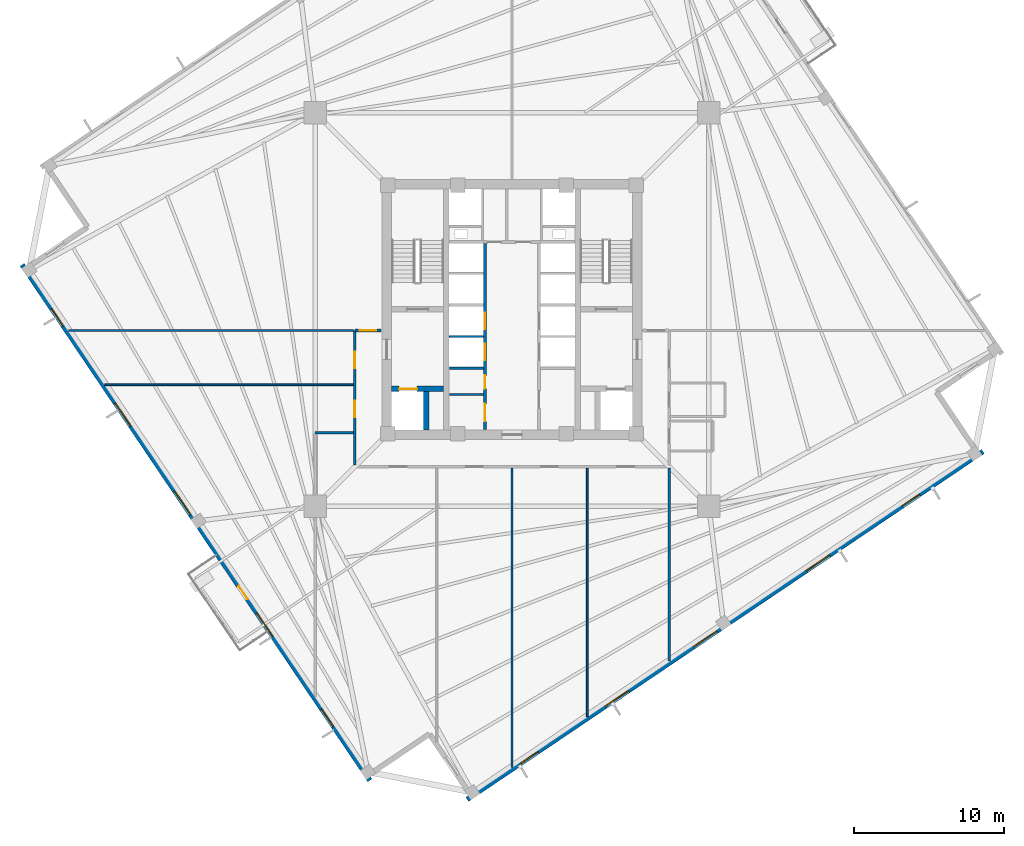
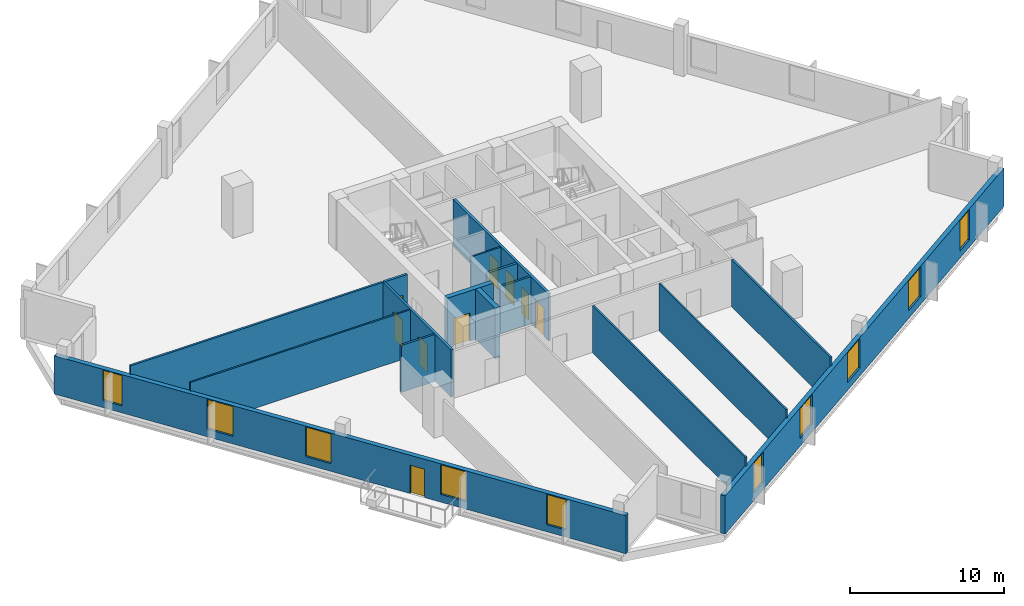
# One storey, part 3 of 9: 16 walls, 10 windows, 9 doors, 19 openings.
"""IFC4 building model written with IfcOpenShell, lengths in metres."""

from ifc_helpers import new_model, si_unit, direction, frame, frame_2d, origin, place, context, subcontext, project, spatial, rectangle, extrude, source, transform, mapped, material, layer, layer_set, type_object, element, fill, save


model = new_model("IFC4")

# Units and contexts
model_context = context("Model", 3, precision=1e-05, world=origin(), true_north=direction((0.0, 1.0)))
body_context = subcontext(model_context, "Body", "Model", "MODEL_VIEW")
ifc_project = project(units=[si_unit("LENGTHUNIT", "METRE"), si_unit("AREAUNIT", "SQUARE_METRE"), si_unit("VOLUMEUNIT", "CUBIC_METRE"), si_unit("PLANEANGLEUNIT", "RADIAN"), si_unit("MASSUNIT", "GRAM", prefix="KILO"), si_unit("THERMODYNAMICTEMPERATUREUNIT", "KELVIN")], contexts=[model_context])

# Site, building, storey
site_placement = place(None, origin())
site = spatial("IfcSite", under=ifc_project, at=site_placement, CompositionType="ELEMENT")
building_placement = place(site_placement, origin())
building = spatial("IfcBuilding", under=site, at=building_placement, Name="Kosmvard Interchange Tower", CompositionType="ELEMENT")
storey_placement = place(building_placement, frame((0.0, 0.0, 144.39990234375)))
storey = spatial("IfcBuildingStorey", under=building, at=storey_placement, Name="L34", CompositionType="ELEMENT", Elevation=144.39990234375)

# Walls
ifc_material_1 = material(Name="Acoustic gypsum partition system")
ifc_layer_1 = layer(ifc_material_1, 0.14990234375, Name="Acoustic gypsum partition system")
ifc_layer_set_1 = layer_set([ifc_layer_1], Name="Acoustic gypsum partition system")
wall_type_1 = type_object("IfcWallType", Name="Acoustic Suite & Meeting Partition 150", PredefinedType="PARTITIONING", material=ifc_layer_set_1)
wall_1_placement = place(storey_placement, frame((-29.482421875, -1.39990234375, 0.0), z_axis=(0.0, 0.0, 1.0), x_axis=(1.0, 0.0, 0.0)))
element("IfcWall", 1, at=wall_1_placement, inside=storey, type_object=wall_type_1, Name="L34 Room Partition 02.1", PredefinedType="PARTITIONING", context=body_context, shape_type="SweptSolid", body=[
    extrude(rectangle(XDim=18.9375, YDim=0.14990234375, at=frame_2d((9.46875, 0.0))), origin(), (0.0, 0.0, 1.0), 3.739990234375),
])
wall_2_placement = place(storey_placement, frame((-10.544921875, -8.199951171875, 0.0), z_axis=(0.0, 0.0, 1.0), x_axis=(-1.0, 0.0, 0.0)))
element("IfcWall", 2, at=wall_2_placement, inside=storey, type_object=wall_type_1, Name="L34 Room Partition 04.1", PredefinedType="PARTITIONING", context=body_context, shape_type="SweptSolid", body=[
    extrude(rectangle(XDim=2.5361328125, YDim=0.14990234375, at=frame_2d((1.26806640625, 0.0))), origin(), (0.0, 0.0, 1.0), 3.739990234375),
])
wall_3_placement = place(storey_placement, frame((10.449951171875, -23.378173828125, 0.0), z_axis=(0.0, 0.0, 1.0), x_axis=(0.0, 1.0, 0.0)))
element("IfcWall", 3, at=wall_3_placement, inside=storey, type_object=wall_type_1, Name="L34 Room Partition 10.1", PredefinedType="PARTITIONING", context=body_context, shape_type="SweptSolid", body=[
    extrude(rectangle(XDim=12.833251953125, YDim=0.14990234375, at=frame_2d((6.41650390625, 0.0))), origin(), (0.0, 0.0, 1.0), 3.739990234375),
])
ifc_material_2 = material(Name="Fire-rated gypsum partition system")
ifc_layer_2 = layer(ifc_material_2, 0.159912109375, Name="Fire-rated gypsum partition system")
ifc_layer_set_2 = layer_set([ifc_layer_2], Name="Fire-rated gypsum partition system")
wall_type_2 = type_object("IfcWallType", Name="Core Compartment & Shuttle Lobby Partition 160", PredefinedType="PARTITIONING", material=ifc_layer_set_2)
wall_4_placement = place(storey_placement, frame((-4.169921875, -5.64990234375, 0.0), z_axis=(0.0, 0.0, 1.0), x_axis=(1.0, 0.0, 0.0)))
element("IfcWall", 4, at=wall_4_placement, inside=storey, type_object=wall_type_2, Name="L34 Reclaimed Split W", PredefinedType="PARTITIONING", context=body_context, shape_type="SweptSolid", body=[
    extrude(rectangle(XDim=2.280029296875, YDim=0.159912109375, at=frame_2d((1.14013671875, 0.0))), origin(), (0.0, 0.0, 1.0), 3.739990234375),
])

# Wall, openings, doors
ifc_layer_3 = layer(ifc_material_2, 0.179931640625, Name="Fire-rated gypsum partition system")
ifc_layer_set_3 = layer_set([ifc_layer_3], Name="Fire-rated gypsum partition system")
wall_type_3 = type_object("IfcWallType", Name="Corridor & Hotel Compartment Partition 180", PredefinedType="PARTITIONING", material=ifc_layer_set_3)
wall_5_placement = place(storey_placement, frame((-1.7900390625, -7.97998046875, 0.0), z_axis=(0.0, 0.0, 1.0), x_axis=(0.0, 1.0, 0.0)))
wall_5 = element("IfcWall", 5, at=wall_5_placement, inside=storey, type_object=wall_type_3, Name="L34 West Lift Bank Front Wall", PredefinedType="PARTITIONING", context=body_context, shape_type="SweptSolid", body=[
    extrude(rectangle(XDim=12.3798828125, YDim=0.179931640625, at=frame_2d((6.18994140625, 0.0))), origin(), (0.0, 0.0, 1.0), 3.739990234375),
])
opening_1_placement = place(wall_5_placement, frame((4.60009765625, 0.0, 0.0)))
opening_1 = element("IfcOpeningElement", 6, at=opening_1_placement, cuts=wall_5, Name="Opening LD-PL-M1-L34", PredefinedType="OPENING", context=body_context, shape_type="SweptSolid", body=[
    extrude(rectangle(XDim=1.10009765625, YDim=2.199951171875, at=frame_2d((0.550048828125, 1.10009765625))), frame((0.0, 0.10009765625, 0.0), z_axis=(0.0, -1.0, 0.0), x_axis=(1.0, 0.0, 0.0)), (0.0, 0.0, 1.0), 0.199951171875),
])
opening_2_placement = place(wall_5_placement, frame((6.659912109375, 0.0, 0.0)))
opening_2 = element("IfcOpeningElement", 7, at=opening_2_placement, cuts=wall_5, Name="Opening LD-PL-M2-L34", PredefinedType="OPENING", context=body_context, shape_type="SweptSolid", body=[
    extrude(rectangle(XDim=1.10009765625, YDim=2.199951171875, at=frame_2d((0.550048828125, 1.10009765625))), frame((0.0, 0.10009765625, 0.0), z_axis=(0.0, -1.0, 0.0), x_axis=(1.0, 0.0, 0.0)), (0.0, 0.0, 1.0), 0.199951171875),
])
opening_3_placement = place(wall_5_placement, frame((0.550048828125, 0.0, 0.0)))
opening_3 = element("IfcOpeningElement", 8, at=opening_3_placement, cuts=wall_5, Name="Opening L34-CD1", PredefinedType="OPENING", context=body_context, shape_type="SweptSolid", body=[
    extrude(rectangle(XDim=1.14990234375, YDim=2.25, at=frame_2d((0.574951171875, 1.125))), frame((0.0, 0.10009765625, 0.0), z_axis=(0.0, -1.0, 0.0), x_axis=(1.0, 0.0, 0.0)), (0.0, 0.0, 1.0), 0.199951171875),
])
opening_4_placement = place(wall_5_placement, frame((2.719970703125, 0.0, 0.0)))
opening_4 = element("IfcOpeningElement", 9, at=opening_4_placement, cuts=wall_5, Name="Opening L34-CD2", PredefinedType="OPENING", context=body_context, shape_type="SweptSolid", body=[
    extrude(rectangle(XDim=0.8798828125, YDim=2.10009765625, at=frame_2d((0.43994140625, 1.050048828125))), frame((0.0, 0.10009765625, 0.0), z_axis=(0.0, -1.0, 0.0), x_axis=(1.0, 0.0, 0.0)), (0.0, 0.0, 1.0), 0.199951171875),
])
ifc_material_3 = material(Name="Painted fire-rated steel leaf", Category="steel")
door_type_1 = type_object("IfcDoorType", Name="Plant & Riser Fire Door 1150x2250 EI60", OperationType="NOTDEFINED", PredefinedType="DOOR", material=ifc_material_3)
shared_shape_1 = source(origin(), body_context, "Body", "SweptSolid", [
    extrude(rectangle(XDim=1.14990234375, YDim=2.25, at=frame_2d((0.574951171875, 1.125))), frame((0.0, 0.02490234375, 0.0), z_axis=(0.0, -1.0, 0.0), x_axis=(1.0, 0.0, 0.0)), (0.0, 0.0, 1.0), 0.050048828125),
])
door_1_placement = place(opening_3_placement, origin())
door_1 = element("IfcDoor", 10, at=door_1_placement, inside=storey, type_object=door_type_1, Name="L34 Core Archive Door", OperationType="SINGLE_SWING_LEFT", OverallHeight=2.25, OverallWidth=1.14990234375, PredefinedType="DOOR", context=body_context, shape_type="MappedRepresentation", body=[
    mapped(shared_shape_1, transform((0.0, 0.0, 0.0), scale=1.0)),
])
fill(opening_3, door_1)
ifc_material_4 = material(Name="Brushed stainless steel sliding leaf", Category="steel")
door_type_2 = type_object("IfcDoorType", Name="Passenger Lift Sliding Landing Door 1100x2200 EI60", OperationType="DOUBLE_DOOR_SLIDING", PredefinedType="DOOR", material=ifc_material_4)
shared_shape_2 = source(origin(), body_context, "Body", "SweptSolid", [
    extrude(rectangle(XDim=1.10009765625, YDim=2.199951171875, at=frame_2d((0.550048828125, 1.10009765625))), frame((0.0, 0.02490234375, 0.0), z_axis=(0.0, -1.0, 0.0), x_axis=(1.0, 0.0, 0.0)), (0.0, 0.0, 1.0), 0.050048828125),
])
door_2_placement = place(opening_1_placement, frame((1.10009765625, 0.0, 0.0), z_axis=(0.0, 0.0, 1.0), x_axis=(-1.0, 0.0, 0.0)))
door_2 = element("IfcDoor", 11, at=door_2_placement, inside=storey, type_object=door_type_2, Name="Lift PL-M1 Landing Door L34", OperationType="DOUBLE_DOOR_SLIDING", OverallHeight=2.199951171875, OverallWidth=1.10009765625, PredefinedType="DOOR", context=body_context, shape_type="MappedRepresentation", body=[
    mapped(shared_shape_2, transform((0.0, 0.0, 0.0), scale=1.0)),
])
fill(opening_1, door_2)
door_3_placement = place(opening_2_placement, frame((1.10009765625, 0.0, 0.0), z_axis=(0.0, 0.0, 1.0), x_axis=(-1.0, 0.0, 0.0)))
door_3 = element("IfcDoor", 12, at=door_3_placement, inside=storey, type_object=door_type_2, Name="Lift PL-M2 Landing Door L34", OperationType="DOUBLE_DOOR_SLIDING", OverallHeight=2.199951171875, OverallWidth=1.10009765625, PredefinedType="DOOR", context=body_context, shape_type="MappedRepresentation", body=[
    mapped(shared_shape_2, transform((0.0, 0.0, 0.0), scale=1.0)),
])
fill(opening_2, door_3)
ifc_material_5 = material(Name="Painted fire-rated timber leaf", Category="wood")
door_type_3 = type_object("IfcDoorType", Name="Core Cupboard Fire Door 880x2100 EI30", OperationType="NOTDEFINED", PredefinedType="DOOR", material=ifc_material_5)
shared_shape_3 = source(origin(), body_context, "Body", "SweptSolid", [
    extrude(rectangle(XDim=0.8798828125, YDim=2.10009765625, at=frame_2d((0.43994140625, 1.050048828125))), frame((0.0, 0.02490234375, 0.0), z_axis=(0.0, -1.0, 0.0), x_axis=(1.0, 0.0, 0.0)), (0.0, 0.0, 1.0), 0.050048828125),
])
door_4_placement = place(opening_4_placement, origin())
door_4 = element("IfcDoor", 13, at=door_4_placement, inside=storey, type_object=door_type_3, Name="L34 Core Supplies Door", OperationType="SINGLE_SWING_RIGHT", OverallHeight=2.10009765625, OverallWidth=0.8798828125, PredefinedType="DOOR", context=body_context, shape_type="MappedRepresentation", body=[
    mapped(shared_shape_3, transform((0.0, 0.0, 0.0), scale=1.0)),
])
fill(opening_4, door_4)

wall_6_placement = place(storey_placement, frame((-10.449951171875, -10.35009765625, 0.0), z_axis=(0.0, 0.0, 1.0), x_axis=(0.0, 1.0, 0.0)))
wall_6 = element("IfcWall", 14, at=wall_6_placement, inside=storey, type_object=wall_type_3, Name="L34 Corridor Wall CW", PredefinedType="PARTITIONING", context=body_context, shape_type="SweptSolid", body=[
    extrude(rectangle(XDim=8.9501953125, YDim=0.179931640625, at=frame_2d((4.47509765625, 0.0))), origin(), (0.0, 0.0, 1.0), 3.739990234375),
])
opening_5_placement = place(wall_6_placement, frame((6.435546875, 0.0, 0.0)))
opening_5 = element("IfcOpeningElement", 15, at=opening_5_placement, cuts=wall_6, Name="Opening L34-D05", PredefinedType="OPENING", context=body_context, shape_type="SweptSolid", body=[
    extrude(rectangle(XDim=1.10009765625, YDim=2.199951171875, at=frame_2d((0.550048828125, 1.10009765625))), frame((0.0, 0.10009765625, 0.0), z_axis=(0.0, -1.0, 0.0), x_axis=(1.0, 0.0, 0.0)), (0.0, 0.0, 1.0), 0.199951171875),
])
opening_6_placement = place(wall_6_placement, frame((3.199951171875, 0.0, 0.0)))
opening_6 = element("IfcOpeningElement", 16, at=opening_6_placement, cuts=wall_6, Name="Opening L34-D06", PredefinedType="OPENING", context=body_context, shape_type="SweptSolid", body=[
    extrude(rectangle(XDim=1.10009765625, YDim=2.199951171875, at=frame_2d((0.550048828125, 1.10009765625))), frame((0.0, 0.10009765625, 0.0), z_axis=(0.0, -1.0, 0.0), x_axis=(1.0, 0.0, 0.0)), (0.0, 0.0, 1.0), 0.199951171875),
])
ifc_material_6 = material(Name="Engineered oak fire-rated timber", Category="wood")
door_type_4 = type_object("IfcDoorType", Name="Office Suite Entrance Door 1100x2200 FD30S", OperationType="NOTDEFINED", PredefinedType="DOOR", material=ifc_material_6)
door_5_placement = place(opening_5_placement, origin())
door_5 = element("IfcDoor", 17, at=door_5_placement, inside=storey, type_object=door_type_4, Name="L34 Tech Hub Pantry Door", OperationType="SINGLE_SWING_LEFT", OverallHeight=2.199951171875, OverallWidth=1.10009765625, PredefinedType="DOOR", context=body_context, shape_type="MappedRepresentation", body=[
    mapped(shared_shape_2, transform((0.0, 0.0, 0.0), scale=1.0)),
])
fill(opening_5, door_5)
door_6_placement = place(opening_6_placement, origin())
door_6 = element("IfcDoor", 18, at=door_6_placement, inside=storey, type_object=door_type_4, Name="L34 West Systems Office 1 Door", OperationType="SINGLE_SWING_RIGHT", OverallHeight=2.199951171875, OverallWidth=1.10009765625, PredefinedType="DOOR", context=body_context, shape_type="MappedRepresentation", body=[
    mapped(shared_shape_2, transform((0.0, 0.0, 0.0), scale=1.0)),
])
fill(opening_6, door_6)

# Wall, opening, door
wall_7_placement = place(storey_placement, frame((-10.449951171875, -1.39990234375, 0.0), z_axis=(0.0, 0.0, 1.0), x_axis=(1.0, 0.0, 0.0)))
wall_7 = element("IfcWall", 19, at=wall_7_placement, inside=storey, type_object=wall_type_3, Name="L34 Corridor Wall CNW", PredefinedType="PARTITIONING", context=body_context, shape_type="SweptSolid", body=[
    extrude(rectangle(XDim=1.75, YDim=0.179931640625, at=frame_2d((0.875, 0.0))), origin(), (0.0, 0.0, 1.0), 3.739990234375),
])
opening_7_placement = place(wall_7_placement, frame((0.324951171875, 0.0, 0.0)))
opening_7 = element("IfcOpeningElement", 20, at=opening_7_placement, cuts=wall_7, Name="Opening L34-D03", PredefinedType="OPENING", context=body_context, shape_type="SweptSolid", body=[
    extrude(rectangle(XDim=1.10009765625, YDim=2.199951171875, at=frame_2d((0.550048828125, 1.10009765625))), frame((0.0, 0.10009765625, 0.0), z_axis=(0.0, -1.0, 0.0), x_axis=(1.0, 0.0, 0.0)), (0.0, 0.0, 1.0), 0.199951171875),
])
door_7_placement = place(opening_7_placement, origin())
door_7 = element("IfcDoor", 21, at=door_7_placement, inside=storey, type_object=door_type_4, Name="L34 North-West Technology Workplace Door", OperationType="SINGLE_SWING_LEFT", OverallHeight=2.199951171875, OverallWidth=1.10009765625, PredefinedType="DOOR", context=body_context, shape_type="MappedRepresentation", body=[
    mapped(shared_shape_2, transform((0.0, 0.0, 0.0), scale=1.0)),
])
fill(opening_7, door_7)

# Wall, openings, windows
ifc_material_7 = material(Name="Precast concrete C45/55", Category="concrete")
ifc_layer_4 = layer(ifc_material_7, 0.340087890625, Name="Precast concrete C45/55")
ifc_layer_set_4 = layer_set([ifc_layer_4], Name="Precast concrete C45/55")
wall_type_4 = type_object("IfcWallType", Name="Mid Tower Precast Pier Wall 340 C45/55", PredefinedType="STANDARD", material=ifc_layer_set_4)
wall_8_placement = place(storey_placement, frame((-2.971923828125, -32.55810546875, 0.0), z_axis=(0.0, 0.0, 1.0), x_axis=(0.829036218961, 0.559194910251, 0.0)))
wall_8 = element("IfcWall", 22, at=wall_8_placement, inside=storey, type_object=wall_type_4, Name="L34 Precast Facade Wall F-S", PredefinedType="STANDARD", context=body_context, shape_type="SweptSolid", body=[
    extrude(rectangle(XDim=41.340087890625, YDim=0.340087890625, at=frame_2d((20.669921875, 0.0))), origin(), (0.0, 0.0, 1.0), 3.0400390625),
])
opening_8_placement = place(wall_8_placement, frame((4.2607421875, 0.0, 0.56005859375)))
opening_8 = element("IfcOpeningElement", 23, at=opening_8_placement, cuts=wall_8, Name="Opening L34-W01", PredefinedType="OPENING", context=body_context, shape_type="SweptSolid", body=[
    extrude(rectangle(XDim=1.39990234375, YDim=2.39990234375, at=frame_2d((0.699951171875, 1.199951171875))), frame((0.0, 0.18017578125, 0.0), z_axis=(0.0, -1.0, 0.0), x_axis=(1.0, 0.0, 0.0)), (0.0, 0.0, 1.0), 0.360107421875),
])
opening_9_placement = place(wall_8_placement, frame((11.063720703125, 0.0, 0.610107421875)))
opening_9 = element("IfcOpeningElement", 24, at=opening_9_placement, cuts=wall_8, Name="Opening L34-W02", PredefinedType="OPENING", context=body_context, shape_type="SweptSolid", body=[
    extrude(rectangle(XDim=1.85009765625, YDim=2.35009765625, at=frame_2d((0.925048828125, 1.175048828125))), frame((0.0, 0.18017578125, 0.0), z_axis=(0.0, -1.0, 0.0), x_axis=(1.0, 0.0, 0.0)), (0.0, 0.0, 1.0), 0.360107421875),
])
opening_10_placement = place(wall_8_placement, frame((18.168212890625, 0.0, 0.610107421875)))
opening_10 = element("IfcOpeningElement", 25, at=opening_10_placement, cuts=wall_8, Name="Opening L34-W03", PredefinedType="OPENING", context=body_context, shape_type="SweptSolid", body=[
    extrude(rectangle(XDim=1.85009765625, YDim=2.35009765625, at=frame_2d((0.925048828125, 1.175048828125))), frame((0.0, 0.18017578125, 0.0), z_axis=(0.0, -1.0, 0.0), x_axis=(1.0, 0.0, 0.0)), (0.0, 0.0, 1.0), 0.360107421875),
])
opening_11_placement = place(wall_8_placement, frame((27.186279296875, 0.0, 0.610107421875)))
opening_11 = element("IfcOpeningElement", 26, at=opening_11_placement, cuts=wall_8, Name="Opening L34-W04", PredefinedType="OPENING", context=body_context, shape_type="SweptSolid", body=[
    extrude(rectangle(XDim=1.85009765625, YDim=2.35009765625, at=frame_2d((0.925048828125, 1.175048828125))), frame((0.0, 0.18017578125, 0.0), z_axis=(0.0, -1.0, 0.0), x_axis=(1.0, 0.0, 0.0)), (0.0, 0.0, 1.0), 0.360107421875),
])
opening_12_placement = place(wall_8_placement, frame((34.852294921875, 0.0, 0.56005859375)))
opening_12 = element("IfcOpeningElement", 27, at=opening_12_placement, cuts=wall_8, Name="Opening L34-W05", PredefinedType="OPENING", context=body_context, shape_type="SweptSolid", body=[
    extrude(rectangle(XDim=1.39990234375, YDim=2.39990234375, at=frame_2d((0.699951171875, 1.199951171875))), frame((0.0, 0.18017578125, 0.0), z_axis=(0.0, -1.0, 0.0), x_axis=(1.0, 0.0, 0.0)), (0.0, 0.0, 1.0), 0.360107421875),
])
ifc_material_8 = material(Name="Low-E solar-control double glazing", Category="glass")
window_type_1 = type_object("IfcWindowType", Name="Notched Corner Feature Window 1400x2400", PartitioningType="SINGLE_PANEL", PredefinedType="WINDOW", material=ifc_material_8)
shared_shape_4 = source(origin(), body_context, "Body", "SweptSolid", [
    extrude(rectangle(XDim=1.39990234375, YDim=2.39990234375, at=frame_2d((0.699951171875, 1.199951171875))), frame((0.0, 0.030029296875, 0.0), z_axis=(0.0, -1.0, 0.0), x_axis=(1.0, 0.0, 0.0)), (0.0, 0.0, 1.0), 0.06005859375),
])
window_1_placement = place(opening_8_placement, origin())
window_1 = element("IfcWindow", 28, at=window_1_placement, inside=storey, type_object=window_type_1, Name="L34 Facade Punched Window 01", OverallHeight=2.39990234375, OverallWidth=1.39990234375, PartitioningType="SINGLE_PANEL", PredefinedType="WINDOW", context=body_context, shape_type="MappedRepresentation", body=[
    mapped(shared_shape_4, transform((0.0, 0.0, 0.0), scale=1.0)),
])
fill(opening_8, window_1)
window_2_placement = place(opening_12_placement, origin())
window_2 = element("IfcWindow", 29, at=window_2_placement, inside=storey, type_object=window_type_1, Name="L34 Facade Punched Window 05", OverallHeight=2.39990234375, OverallWidth=1.39990234375, PartitioningType="SINGLE_PANEL", PredefinedType="WINDOW", context=body_context, shape_type="MappedRepresentation", body=[
    mapped(shared_shape_4, transform((0.0, 0.0, 0.0), scale=1.0)),
])
fill(opening_12, window_2)
window_type_2 = type_object("IfcWindowType", Name="Zone 3 Office Punched Window 1850x2350", PartitioningType="SINGLE_PANEL", PredefinedType="WINDOW", material=ifc_material_8)
shared_shape_5 = source(origin(), body_context, "Body", "SweptSolid", [
    extrude(rectangle(XDim=1.85009765625, YDim=2.35009765625, at=frame_2d((0.925048828125, 1.175048828125))), frame((0.0, 0.030029296875, 0.0), z_axis=(0.0, -1.0, 0.0), x_axis=(1.0, 0.0, 0.0)), (0.0, 0.0, 1.0), 0.06005859375),
])
window_3_placement = place(opening_9_placement, origin())
window_3 = element("IfcWindow", 30, at=window_3_placement, inside=storey, type_object=window_type_2, Name="L34 Facade Punched Window 02", OverallHeight=2.35009765625, OverallWidth=1.85009765625, PartitioningType="SINGLE_PANEL", PredefinedType="WINDOW", context=body_context, shape_type="MappedRepresentation", body=[
    mapped(shared_shape_5, transform((0.0, 0.0, 0.0), scale=1.0)),
])
fill(opening_9, window_3)
window_4_placement = place(opening_10_placement, origin())
window_4 = element("IfcWindow", 31, at=window_4_placement, inside=storey, type_object=window_type_2, Name="L34 Facade Punched Window 03", OverallHeight=2.35009765625, OverallWidth=1.85009765625, PartitioningType="SINGLE_PANEL", PredefinedType="WINDOW", context=body_context, shape_type="MappedRepresentation", body=[
    mapped(shared_shape_5, transform((0.0, 0.0, 0.0), scale=1.0)),
])
fill(opening_10, window_4)
window_5_placement = place(opening_11_placement, origin())
window_5 = element("IfcWindow", 32, at=window_5_placement, inside=storey, type_object=window_type_2, Name="L34 Facade Punched Window 04", OverallHeight=2.35009765625, OverallWidth=1.85009765625, PartitioningType="SINGLE_PANEL", PredefinedType="WINDOW", context=body_context, shape_type="MappedRepresentation", body=[
    mapped(shared_shape_5, transform((0.0, 0.0, 0.0), scale=1.0)),
])
fill(opening_11, window_5)

# Wall, openings, door, windows
wall_9_placement = place(storey_placement, frame((-32.55810546875, 2.971923828125, 0.0), z_axis=(0.0, 0.0, 1.0), x_axis=(0.559194910251, -0.829036218961, 0.0)))
wall_9 = element("IfcWall", 33, at=wall_9_placement, inside=storey, type_object=wall_type_4, Name="L34 Precast Facade Wall F-W", PredefinedType="STANDARD", context=body_context, shape_type="SweptSolid", body=[
    extrude(rectangle(XDim=41.340087890625, YDim=0.340087890625, at=frame_2d((20.669921875, 0.0))), origin(), (0.0, 0.0, 1.0), 3.0400390625),
])
opening_13_placement = place(wall_9_placement, frame((25.7451171875, 0.0, 0.0)))
opening_13 = element("IfcOpeningElement", 34, at=opening_13_placement, cuts=wall_9, Name="Opening L34-BDW", PredefinedType="OPENING", context=body_context, shape_type="SweptSolid", body=[
    extrude(rectangle(XDim=1.050048828125, YDim=2.25, at=frame_2d((0.52490234375, 1.125))), frame((0.0, 0.18017578125, 0.0), z_axis=(0.0, -1.0, 0.0), x_axis=(1.0, 0.0, 0.0)), (0.0, 0.0, 1.0), 0.360107421875),
])
opening_14_placement = place(wall_9_placement, frame((3.5107421875, 0.0, 0.56005859375)))
opening_14 = element("IfcOpeningElement", 35, at=opening_14_placement, cuts=wall_9, Name="Opening L34-W16", PredefinedType="OPENING", context=body_context, shape_type="SweptSolid", body=[
    extrude(rectangle(XDim=1.39990234375, YDim=2.39990234375, at=frame_2d((0.699951171875, 1.199951171875))), frame((0.0, 0.18017578125, 0.0), z_axis=(0.0, -1.0, 0.0), x_axis=(1.0, 0.0, 0.0)), (0.0, 0.0, 1.0), 0.360107421875),
])
opening_15_placement = place(wall_9_placement, frame((11.063720703125, 0.0, 0.610107421875)))
opening_15 = element("IfcOpeningElement", 36, at=opening_15_placement, cuts=wall_9, Name="Opening L34-W17", PredefinedType="OPENING", context=body_context, shape_type="SweptSolid", body=[
    extrude(rectangle(XDim=1.85009765625, YDim=2.35009765625, at=frame_2d((0.925048828125, 1.175048828125))), frame((0.0, 0.18017578125, 0.0), z_axis=(0.0, -1.0, 0.0), x_axis=(1.0, 0.0, 0.0)), (0.0, 0.0, 1.0), 0.360107421875),
])
opening_16_placement = place(wall_9_placement, frame((18.168212890625, 0.0, 0.610107421875)))
opening_16 = element("IfcOpeningElement", 37, at=opening_16_placement, cuts=wall_9, Name="Opening L34-W18", PredefinedType="OPENING", context=body_context, shape_type="SweptSolid", body=[
    extrude(rectangle(XDim=1.85009765625, YDim=2.35009765625, at=frame_2d((0.925048828125, 1.175048828125))), frame((0.0, 0.18017578125, 0.0), z_axis=(0.0, -1.0, 0.0), x_axis=(1.0, 0.0, 0.0)), (0.0, 0.0, 1.0), 0.360107421875),
])
opening_17_placement = place(wall_9_placement, frame((27.936279296875, 0.0, 0.610107421875)))
opening_17 = element("IfcOpeningElement", 38, at=opening_17_placement, cuts=wall_9, Name="Opening L34-W19", PredefinedType="OPENING", context=body_context, shape_type="SweptSolid", body=[
    extrude(rectangle(XDim=1.85009765625, YDim=2.35009765625, at=frame_2d((0.925048828125, 1.175048828125))), frame((0.0, 0.18017578125, 0.0), z_axis=(0.0, -1.0, 0.0), x_axis=(1.0, 0.0, 0.0)), (0.0, 0.0, 1.0), 0.360107421875),
])
opening_18_placement = place(wall_9_placement, frame((35.602294921875, 0.0, 0.56005859375)))
opening_18 = element("IfcOpeningElement", 39, at=opening_18_placement, cuts=wall_9, Name="Opening L34-W20", PredefinedType="OPENING", context=body_context, shape_type="SweptSolid", body=[
    extrude(rectangle(XDim=1.39990234375, YDim=2.39990234375, at=frame_2d((0.699951171875, 1.199951171875))), frame((0.0, 0.18017578125, 0.0), z_axis=(0.0, -1.0, 0.0), x_axis=(1.0, 0.0, 0.0)), (0.0, 0.0, 1.0), 0.360107421875),
])
ifc_material_9 = material(Name="Anodised aluminium and safety glass", Category="aluminium")
door_type_5 = type_object("IfcDoorType", Name="Tree-Balcony Glazed Door 1050x2250", OperationType="NOTDEFINED", PredefinedType="DOOR", material=ifc_material_9)
shared_shape_6 = source(origin(), body_context, "Body", "SweptSolid", [
    extrude(rectangle(XDim=1.050048828125, YDim=2.25, at=frame_2d((0.52490234375, 1.125))), frame((0.0, 0.02490234375, 0.0), z_axis=(0.0, -1.0, 0.0), x_axis=(1.0, 0.0, 0.0)), (0.0, 0.0, 1.0), 0.050048828125),
])
door_8_placement = place(opening_13_placement, origin())
door_8 = element("IfcDoor", 40, at=door_8_placement, inside=storey, type_object=door_type_5, Name="L34 Tree-Balcony Door BAL-L34-W", OperationType="SINGLE_SWING_LEFT", OverallHeight=2.25, OverallWidth=1.050048828125, PredefinedType="DOOR", context=body_context, shape_type="MappedRepresentation", body=[
    mapped(shared_shape_6, transform((0.0, 0.0, 0.0), scale=1.0)),
])
fill(opening_13, door_8)
window_6_placement = place(opening_14_placement, origin())
window_6 = element("IfcWindow", 41, at=window_6_placement, inside=storey, type_object=window_type_1, Name="L34 Facade Punched Window 16", OverallHeight=2.39990234375, OverallWidth=1.39990234375, PartitioningType="SINGLE_PANEL", PredefinedType="WINDOW", context=body_context, shape_type="MappedRepresentation", body=[
    mapped(shared_shape_4, transform((0.0, 0.0, 0.0), scale=1.0)),
])
fill(opening_14, window_6)
window_7_placement = place(opening_18_placement, origin())
window_7 = element("IfcWindow", 42, at=window_7_placement, inside=storey, type_object=window_type_1, Name="L34 Facade Punched Window 20", OverallHeight=2.39990234375, OverallWidth=1.39990234375, PartitioningType="SINGLE_PANEL", PredefinedType="WINDOW", context=body_context, shape_type="MappedRepresentation", body=[
    mapped(shared_shape_4, transform((0.0, 0.0, 0.0), scale=1.0)),
])
fill(opening_18, window_7)
window_8_placement = place(opening_15_placement, origin())
window_8 = element("IfcWindow", 43, at=window_8_placement, inside=storey, type_object=window_type_2, Name="L34 Facade Punched Window 17", OverallHeight=2.35009765625, OverallWidth=1.85009765625, PartitioningType="SINGLE_PANEL", PredefinedType="WINDOW", context=body_context, shape_type="MappedRepresentation", body=[
    mapped(shared_shape_5, transform((0.0, 0.0, 0.0), scale=1.0)),
])
fill(opening_15, window_8)
window_9_placement = place(opening_16_placement, origin())
window_9 = element("IfcWindow", 44, at=window_9_placement, inside=storey, type_object=window_type_2, Name="L34 Facade Punched Window 18", OverallHeight=2.35009765625, OverallWidth=1.85009765625, PartitioningType="SINGLE_PANEL", PredefinedType="WINDOW", context=body_context, shape_type="MappedRepresentation", body=[
    mapped(shared_shape_5, transform((0.0, 0.0, 0.0), scale=1.0)),
])
fill(opening_16, window_9)
window_10_placement = place(opening_17_placement, origin())
window_10 = element("IfcWindow", 45, at=window_10_placement, inside=storey, type_object=window_type_2, Name="L34 Facade Punched Window 19", OverallHeight=2.35009765625, OverallWidth=1.85009765625, PartitioningType="SINGLE_PANEL", PredefinedType="WINDOW", context=body_context, shape_type="MappedRepresentation", body=[
    mapped(shared_shape_5, transform((0.0, 0.0, 0.0), scale=1.0)),
])
fill(opening_17, window_10)

# Walls
ifc_material_10 = material(Name="Gypsum board partition system")
ifc_layer_5 = layer(ifc_material_10, 0.1201171875, Name="Gypsum board partition system")
ifc_layer_set_5 = layer_set([ifc_layer_5], Name="Gypsum board partition system")
wall_type_5 = type_object("IfcWallType", Name="Office Cellular Partition 120", PredefinedType="PARTITIONING", material=ifc_layer_set_5)
wall_10_placement = place(storey_placement, frame((-27.05419921875, -5.0, 0.0), z_axis=(0.0, 0.0, 1.0), x_axis=(1.0, 0.0, 0.0)))
element("IfcWall", 46, at=wall_10_placement, inside=storey, type_object=wall_type_5, Name="L34 Room Partition 06.1", PredefinedType="PARTITIONING", context=body_context, shape_type="SweptSolid", body=[
    extrude(rectangle(XDim=16.50927734375, YDim=0.1201171875, at=frame_2d((8.254638671875, 0.0))), origin(), (0.0, 0.0, 1.0), 3.739990234375),
])
wall_11_placement = place(storey_placement, frame((0.0, -30.4267578125, 0.0), z_axis=(0.0, 0.0, 1.0), x_axis=(0.0, 1.0, 0.0)))
element("IfcWall", 47, at=wall_11_placement, inside=storey, type_object=wall_type_5, Name="L34 Room Partition 08.1", PredefinedType="PARTITIONING", context=body_context, shape_type="SweptSolid", body=[
    extrude(rectangle(XDim=19.8818359375, YDim=0.1201171875, at=frame_2d((9.94091796875, 0.0))), origin(), (0.0, 0.0, 1.0), 3.739990234375),
])
wall_12_placement = place(storey_placement, frame((5.0, -27.05419921875, 0.0), z_axis=(0.0, 0.0, 1.0), x_axis=(0.0, 1.0, 0.0)))
element("IfcWall", 48, at=wall_12_placement, inside=storey, type_object=wall_type_5, Name="L34 Room Partition 09.1", PredefinedType="PARTITIONING", context=body_context, shape_type="SweptSolid", body=[
    extrude(rectangle(XDim=16.50927734375, YDim=0.1201171875, at=frame_2d((8.254638671875, 0.0))), origin(), (0.0, 0.0, 1.0), 3.739990234375),
])
ifc_material_11 = material(Name="Concrete blockwork masonry", Category="masonry")
ifc_layer_6 = layer(ifc_material_11, 0.179931640625, Name="Concrete blockwork masonry")
ifc_layer_set_6 = layer_set([ifc_layer_6], Name="Concrete blockwork masonry")
wall_type_6 = type_object("IfcWallType", Name="Riser & Lift Bank Divider Wall 180", PredefinedType="PARTITIONING", material=ifc_layer_set_6)
wall_13_placement = place(storey_placement, frame((-4.169921875, -3.89990234375, 0.0), z_axis=(0.0, 0.0, 1.0), x_axis=(1.0, 0.0, 0.0)))
element("IfcWall", 49, at=wall_13_placement, inside=storey, type_object=wall_type_6, Name="L34 West Bank Divider BD1", PredefinedType="PARTITIONING", context=body_context, shape_type="SweptSolid", body=[
    extrude(rectangle(XDim=2.280029296875, YDim=0.179931640625, at=frame_2d((1.14013671875, 0.0))), origin(), (0.0, 0.0, 1.0), 3.739990234375),
])
ifc_material_12 = material(Name="Fire-rated gypsum shaftwall system")
ifc_layer_7 = layer(ifc_material_12, 0.1201171875, Name="Fire-rated gypsum shaftwall system")
ifc_layer_set_7 = layer_set([ifc_layer_7], Name="Fire-rated gypsum shaftwall system")
wall_type_7 = type_object("IfcWallType", Name="Shaft & Riser Fire Partition 120 EI60", PredefinedType="PARTITIONING", material=ifc_layer_set_7)
wall_14_placement = place(storey_placement, frame((-4.159912109375, -1.800048828125, 0.0), z_axis=(0.0, 0.0, 1.0), x_axis=(1.0, 0.0, 0.0)))
element("IfcWall", 50, at=wall_14_placement, inside=storey, type_object=wall_type_7, Name="L34 Shaft Divider PL-M1", PredefinedType="PARTITIONING", context=body_context, shape_type="SweptSolid", body=[
    extrude(rectangle(XDim=2.260009765625, YDim=0.1201171875, at=frame_2d((1.1298828125, 0.0))), origin(), (0.0, 0.0, 1.0), 3.739990234375),
])

# Wall, opening, door
ifc_material_13 = material(Name="Concrete C60/75", Category="concrete")
ifc_layer_8 = layer(ifc_material_13, 0.360107421875, Name="Concrete C60/75")
ifc_layer_set_8 = layer_set([ifc_layer_8], Name="Concrete C60/75")
wall_type_8 = type_object("IfcWallType", Name="Stair & Lift Shaft Shear Wall 360 C60/75", PredefinedType="SHEAR", material=ifc_layer_set_8)
wall_15_placement = place(storey_placement, frame((-8.0, -5.280029296875, 0.0), z_axis=(0.0, 0.0, 1.0), x_axis=(1.0, 0.0, 0.0)))
wall_15 = element("IfcWall", 51, at=wall_15_placement, inside=storey, type_object=wall_type_8, Name="L34 Shaft Shear Wall SW-FF1", PredefinedType="SHEAR", context=body_context, shape_type="SweptSolid", body=[
    extrude(rectangle(XDim=3.4599609375, YDim=0.360107421875, at=frame_2d((1.72998046875, 0.0))), origin(), (0.0, 0.0, 1.0), 4.0),
])
opening_19_placement = place(wall_15_placement, frame((0.5, 0.0, 0.0)))
opening_19 = element("IfcOpeningElement", 52, at=opening_19_placement, cuts=wall_15, Name="Opening LD-FF-1-L34", PredefinedType="OPENING", context=body_context, shape_type="SweptSolid", body=[
    extrude(rectangle(XDim=1.199951171875, YDim=2.25, at=frame_2d((0.60009765625, 1.125))), frame((0.0, 0.18994140625, 0.0), z_axis=(0.0, -1.0, 0.0), x_axis=(1.0, 0.0, 0.0)), (0.0, 0.0, 1.0), 0.380126953125),
])
door_type_6 = type_object("IfcDoorType", Name="Firefighting Lift Sliding Landing Door 1200x2250 EI120", OperationType="DOUBLE_DOOR_SLIDING", PredefinedType="DOOR", material=ifc_material_4)
shared_shape_7 = source(origin(), body_context, "Body", "SweptSolid", [
    extrude(rectangle(XDim=1.199951171875, YDim=2.25, at=frame_2d((0.60009765625, 1.125))), frame((0.0, 0.02490234375, 0.0), z_axis=(0.0, -1.0, 0.0), x_axis=(1.0, 0.0, 0.0)), (0.0, 0.0, 1.0), 0.050048828125),
])
door_9_placement = place(opening_19_placement, origin())
door_9 = element("IfcDoor", 53, at=door_9_placement, inside=storey, type_object=door_type_6, Name="Lift FF-1 Landing Door L34", OperationType="DOUBLE_DOOR_SLIDING", OverallHeight=2.25, OverallWidth=1.199951171875, PredefinedType="DOOR", context=body_context, shape_type="MappedRepresentation", body=[
    mapped(shared_shape_7, transform((0.0, 0.0, 0.0), scale=1.0)),
])
fill(opening_19, door_9)

# Wall
wall_16_placement = place(storey_placement, frame((-5.7099609375, -8.0, 0.0), z_axis=(0.0, 0.0, 1.0), x_axis=(0.0, 1.0, 0.0)))
element("IfcWall", 54, at=wall_16_placement, inside=storey, type_object=wall_type_8, Name="L34 Shaft Shear Wall SW-SM1", PredefinedType="SHEAR", context=body_context, shape_type="SweptSolid", body=[
    extrude(rectangle(XDim=2.5400390625, YDim=0.360107421875, at=frame_2d((1.27001953125, 0.0))), origin(), (0.0, 0.0, 1.0), 4.0),
])

save(model, "model.ifc")
